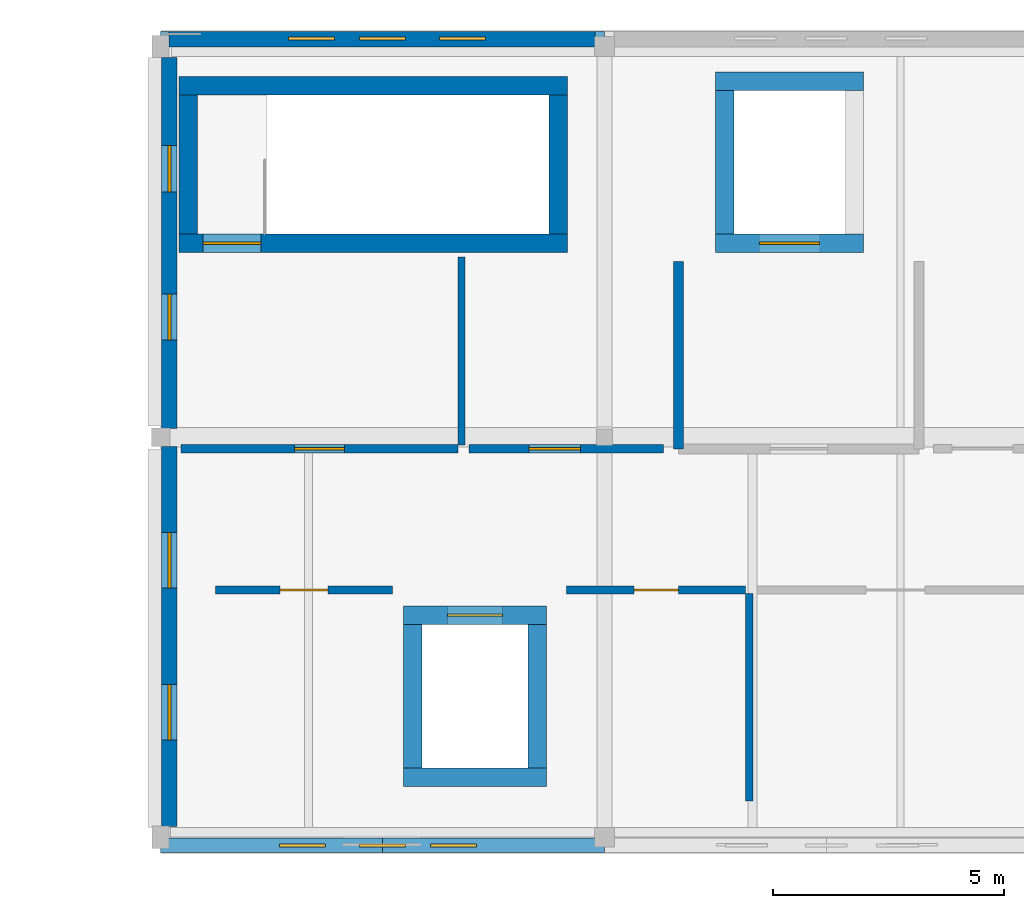
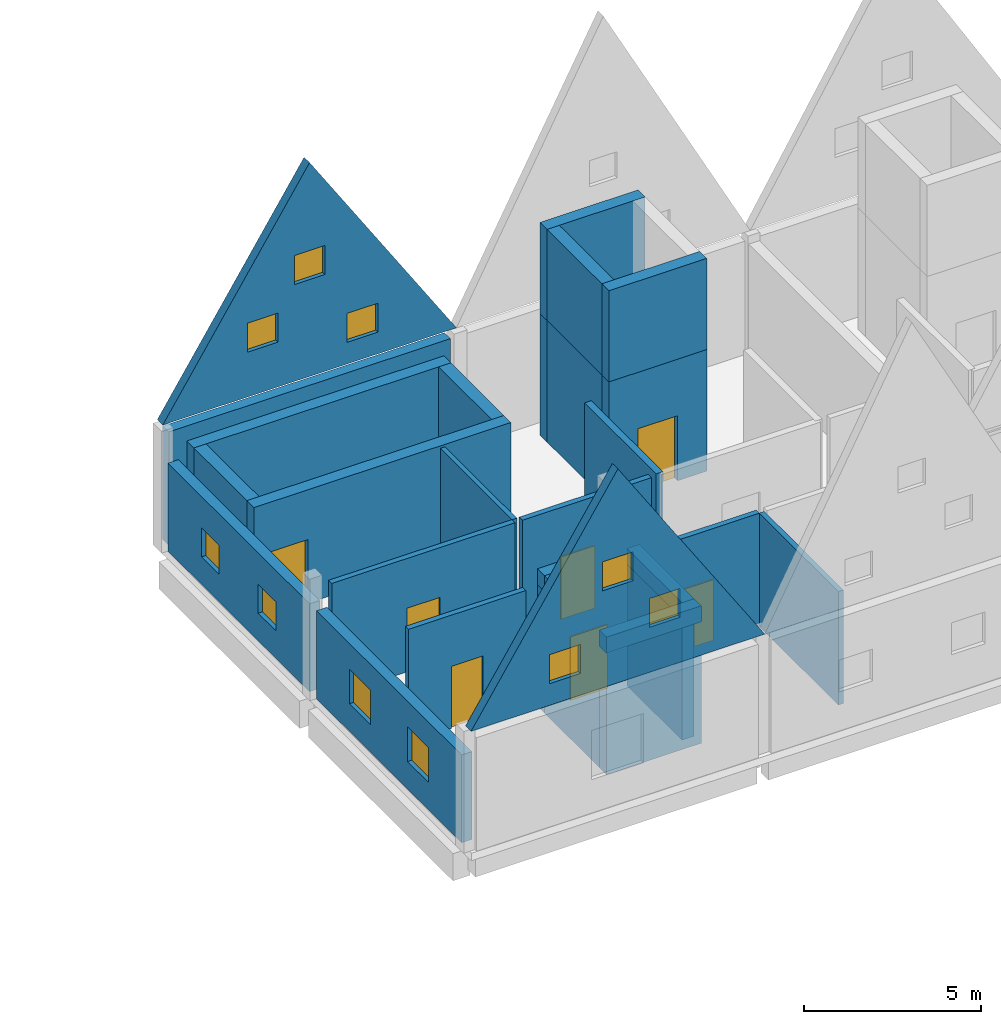
# One storey, part 8 of 13: 30 walls, 10 windows, 7 doors, 17 openings.
"""IFC4 building model written with IfcOpenShell, lengths in metres."""

from ifc_helpers import new_model, si_unit, direction, frame, frame_2d, origin, place, context, subcontext, project, spatial, polyline, rectangle, outline, extrude, material, layer, layer_set, type_object, element, fill, save


model = new_model("IFC4")

# Units and contexts
model_context = context("Model", 3, precision=1e-05, world=origin(), true_north=direction((0.0, 1.0)))
body_context = subcontext(model_context, "Body", "Model", "MODEL_VIEW")
ifc_project = project(units=[si_unit("LENGTHUNIT", "METRE"), si_unit("AREAUNIT", "SQUARE_METRE"), si_unit("VOLUMEUNIT", "CUBIC_METRE"), si_unit("PLANEANGLEUNIT", "RADIAN"), si_unit("MASSUNIT", "GRAM", prefix="KILO")], contexts=[model_context])

# Site, building, storey
site_placement = place(None, origin())
site = spatial("IfcSite", under=ifc_project, at=site_placement, CompositionType="ELEMENT")
building_placement = place(site_placement, origin())
building = spatial("IfcBuilding", under=site, at=building_placement, Name="Birchvale Park Specialist Clinic", CompositionType="ELEMENT")
storey_placement = place(building_placement, frame((0.0, 0.0, 22.199951171875)))
storey = spatial("IfcBuildingStorey", under=building, at=storey_placement, Name="L05", CompositionType="ELEMENT", Elevation=22.199951171875)

# Wall, opening, door
ifc_material_1 = material(Name="Concrete C40/50", Category="concrete")
ifc_layer_1 = layer(ifc_material_1, 0.39990234375)
ifc_layer_set_1 = layer_set([ifc_layer_1], Name="Concrete C40/50")
wall_type_1 = type_object("IfcWallType", Name="WL-CW-120", PredefinedType="SHEAR", material=ifc_layer_set_1)
wall_1_placement = place(storey_placement, frame((61.800048828125, 30.0, 0.0), z_axis=(0.0, 0.0, 1.0), x_axis=(1.0, 0.0, 0.0)))
wall_1 = element("IfcWall", 1, at=wall_1_placement, inside=storey, type_object=wall_type_1, Name="L05 stair ST4 EI 120 enclosure wall (south)", PredefinedType="SHEAR", context=body_context, shape_type="SweptSolid", body=[
    extrude(rectangle(XDim=8.39990234375, YDim=0.39990234375, at=frame_2d((4.199951171875, 0.0))), origin(), (0.0, 0.0, 1.0), 3.920166015625),
])
opening_1_placement = place(wall_1_placement, frame((0.52001953125, 0.0, 0.0)))
opening_1 = element("IfcOpeningElement", 2, at=opening_1_placement, cuts=wall_1, Name="Opening ID-FD60", PredefinedType="OPENING", context=body_context, shape_type="SweptSolid", body=[
    extrude(rectangle(XDim=1.25, YDim=2.199951171875, at=frame_2d((0.625, 1.10009765625))), frame((0.0, 0.2099609375, 0.0), z_axis=(0.0, -1.0, 0.0), x_axis=(1.0, 0.0, 0.0)), (0.0, 0.0, 1.0), 0.419921875),
])
ifc_material_2 = material(Name="Solid-core birch veneer and anodised aluminium", Category="aluminium")
door_type_1 = type_object("IfcDoorType", Name="DR-ID-FD60", OperationType="NOTDEFINED", PredefinedType="DOOR", material=ifc_material_2)
door_1_placement = place(opening_1_placement, origin())
door_1 = element("IfcDoor", 3, at=door_1_placement, inside=storey, type_object=door_type_1, Name="L05 stair ST4 fire door", OperationType="SINGLE_SWING_RIGHT", OverallHeight=2.199951171875, OverallWidth=1.25, PredefinedType="DOOR", context=body_context, shape_type="SweptSolid", body=[
    extrude(rectangle(XDim=1.25, YDim=2.199951171875, at=frame_2d((0.625, 1.10009765625))), frame((0.0, 0.02490234375, 0.0), z_axis=(0.0, -1.0, 0.0), x_axis=(1.0, 0.0, 0.0)), (0.0, 0.0, 1.0), 0.050048828125),
])
fill(opening_1, door_1)

# Walls
wall_2_placement = place(storey_placement, frame((70.199951171875, 33.39990234375, 0.0), z_axis=(0.0, 0.0, 1.0), x_axis=(-1.0, 0.0, 0.0)))
element("IfcWall", 4, at=wall_2_placement, inside=storey, type_object=wall_type_1, Name="L05 stair ST4 EI 120 enclosure wall (north)", PredefinedType="SHEAR", context=body_context, shape_type="SweptSolid", body=[
    extrude(rectangle(XDim=8.39990234375, YDim=0.39990234375, at=frame_2d((4.199951171875, 0.0))), origin(), (0.0, 0.0, 1.0), 3.920166015625),
])
for number, where, z_axis, x_axis, name in (
    (5, (62.0, 30.199951171875, 0.0), (0.0, 0.0, 1.0), (0.0, 1.0, 0.0), "L05 stair ST4 EI 120 enclosure wall (west)"),
    (6, (70.0, 33.199951171875, 0.0), (0.0, 0.0, 1.0), (0.0, -1.0, 0.0), "L05 stair ST4 EI 120 enclosure wall (east)"),
):
    element("IfcWall", number, at=place(storey_placement, frame(where, z_axis=z_axis, x_axis=x_axis)), inside=storey, type_object=wall_type_1, Name=name, PredefinedType="SHEAR", context=body_context, shape_type="SweptSolid", body=[
        extrude(rectangle(XDim=3.0, YDim=0.39990234375, at=frame_2d((1.5, 0.0))), origin(), (0.0, 0.0, 1.0), 3.920166015625),
    ])

# Wall, opening, door
wall_3_placement = place(storey_placement, frame((73.39990234375, 30.0, 0.0), z_axis=(0.0, 0.0, 1.0), x_axis=(1.0, 0.0, 0.0)))
wall_3 = element("IfcWall", 7, at=wall_3_placement, inside=storey, type_object=wall_type_1, Name="L05 lift LF1 shaft wall (south)", PredefinedType="SHEAR", context=body_context, shape_type="SweptSolid", body=[
    extrude(rectangle(XDim=3.2001953125, YDim=0.39990234375, at=frame_2d((1.60009765625, 0.0))), origin(), (0.0, 0.0, 1.0), 4.199951171875),
])
opening_2_placement = place(wall_3_placement, frame((0.949951171875, 0.0, 0.0)))
opening_2 = element("IfcOpeningElement", 8, at=opening_2_placement, cuts=wall_3, Name="Opening LD-02", PredefinedType="OPENING", context=body_context, shape_type="SweptSolid", body=[
    extrude(rectangle(XDim=1.300048828125, YDim=2.25, at=frame_2d((0.64990234375, 1.125))), frame((0.0, 0.2099609375, 0.0), z_axis=(0.0, -1.0, 0.0), x_axis=(1.0, 0.0, 0.0)), (0.0, 0.0, 1.0), 0.419921875),
])
door_type_2 = type_object("IfcDoorType", Name="DR-LD-02", OperationType="DOUBLE_DOOR_SLIDING", PredefinedType="DOOR", material=ifc_material_2)
door_2_placement = place(opening_2_placement, origin())
door_2 = element("IfcDoor", 9, at=door_2_placement, inside=storey, type_object=door_type_2, Name="L05 lift LF1 sliding landing door", OperationType="DOUBLE_DOOR_SLIDING", OverallHeight=2.25, OverallWidth=1.300048828125, PredefinedType="DOOR", context=body_context, shape_type="SweptSolid", body=[
    extrude(rectangle(XDim=1.300048828125, YDim=2.25, at=frame_2d((0.64990234375, 1.125))), frame((0.0, 0.02490234375, 0.0), z_axis=(0.0, -1.0, 0.0), x_axis=(1.0, 0.0, 0.0)), (0.0, 0.0, 1.0), 0.050048828125),
])
fill(opening_2, door_2)

# Walls
wall_4_placement = place(storey_placement, frame((76.60009765625, 33.5, 0.0), z_axis=(0.0, 0.0, 1.0), x_axis=(-1.0, 0.0, 0.0)))
element("IfcWall", 10, at=wall_4_placement, inside=storey, type_object=wall_type_1, Name="L05 lift LF1 shaft wall (north)", PredefinedType="SHEAR", context=body_context, shape_type="SweptSolid", body=[
    extrude(rectangle(XDim=3.2001953125, YDim=0.39990234375, at=frame_2d((1.60009765625, 0.0))), origin(), (0.0, 0.0, 1.0), 4.199951171875),
])
wall_5_placement = place(storey_placement, frame((73.60009765625, 30.199951171875, 0.0), z_axis=(0.0, 0.0, 1.0), x_axis=(0.0, 1.0, 0.0)))
element("IfcWall", 11, at=wall_5_placement, inside=storey, type_object=wall_type_1, Name="L05 lift LF1 shaft wall (west)", PredefinedType="SHEAR", context=body_context, shape_type="SweptSolid", body=[
    extrude(rectangle(XDim=3.10009765625, YDim=0.39990234375, at=frame_2d((1.550048828125, 0.0))), origin(), (0.0, 0.0, 1.0), 4.199951171875),
])
for number, where, z_axis, x_axis, name in (
    (12, (73.39990234375, 30.0, 4.199951171875), (0.0, 0.0, 1.0), (1.0, 0.0, 0.0), "L06 lift LF1 shaft wall (south)"),
    (13, (76.60009765625, 33.5, 4.199951171875), (0.0, 0.0, 1.0), (-1.0, 0.0, 0.0), "L06 lift LF1 shaft wall (north)"),
):
    element("IfcWall", number, at=place(storey_placement, frame(where, z_axis=z_axis, x_axis=x_axis)), inside=storey, type_object=wall_type_1, Name=name, PredefinedType="SHEAR", context=body_context, shape_type="SweptSolid", body=[
        extrude(rectangle(XDim=3.2001953125, YDim=0.39990234375, at=frame_2d((1.60009765625, 0.0))), origin(), (0.0, 0.0, 1.0), 3.150146484375),
    ])
wall_6_placement = place(storey_placement, frame((73.60009765625, 30.199951171875, 4.199951171875), z_axis=(0.0, 0.0, 1.0), x_axis=(0.0, 1.0, 0.0)))
element("IfcWall", 14, at=wall_6_placement, inside=storey, type_object=wall_type_1, Name="L06 lift LF1 shaft wall (west)", PredefinedType="SHEAR", context=body_context, shape_type="SweptSolid", body=[
    extrude(rectangle(XDim=3.10009765625, YDim=0.39990234375, at=frame_2d((1.550048828125, 0.0))), origin(), (0.0, 0.0, 1.0), 3.150146484375),
])
wall_7_placement = place(storey_placement, frame((66.64990234375, 18.449951171875, 0.0), z_axis=(0.0, 0.0, 1.0), x_axis=(1.0, 0.0, 0.0)))
element("IfcWall", 15, at=wall_7_placement, inside=storey, type_object=wall_type_1, Name="L05 lift LP1 shaft wall (south)", PredefinedType="SHEAR", context=body_context, shape_type="SweptSolid", body=[
    extrude(rectangle(XDim=3.10009765625, YDim=0.39990234375, at=frame_2d((1.550048828125, 0.0))), origin(), (0.0, 0.0, 1.0), 4.199951171875),
])

# Wall, opening, door
wall_8_placement = place(storey_placement, frame((69.75, 21.949951171875, 0.0), z_axis=(0.0, 0.0, 1.0), x_axis=(-1.0, 0.0, 0.0)))
wall_8 = element("IfcWall", 16, at=wall_8_placement, inside=storey, type_object=wall_type_1, Name="L05 lift LP1 shaft wall (north)", PredefinedType="SHEAR", context=body_context, shape_type="SweptSolid", body=[
    extrude(rectangle(XDim=3.10009765625, YDim=0.39990234375, at=frame_2d((1.550048828125, 0.0))), origin(), (0.0, 0.0, 1.0), 4.199951171875),
])
opening_3_placement = place(wall_8_placement, frame((0.949951171875, 0.0, 0.0)))
opening_3 = element("IfcOpeningElement", 17, at=opening_3_placement, cuts=wall_8, Name="Opening LD-01", PredefinedType="OPENING", context=body_context, shape_type="SweptSolid", body=[
    extrude(rectangle(XDim=1.199951171875, YDim=2.199951171875, at=frame_2d((0.60009765625, 1.10009765625))), frame((0.0, 0.2099609375, 0.0), z_axis=(0.0, -1.0, 0.0), x_axis=(1.0, 0.0, 0.0)), (0.0, 0.0, 1.0), 0.419921875),
])
door_type_3 = type_object("IfcDoorType", Name="DR-LD-01", OperationType="DOUBLE_DOOR_SLIDING", PredefinedType="DOOR", material=ifc_material_2)
door_3_placement = place(opening_3_placement, origin())
door_3 = element("IfcDoor", 18, at=door_3_placement, inside=storey, type_object=door_type_3, Name="L05 lift LP1 sliding landing door", OperationType="DOUBLE_DOOR_SLIDING", OverallHeight=2.199951171875, OverallWidth=1.199951171875, PredefinedType="DOOR", context=body_context, shape_type="SweptSolid", body=[
    extrude(rectangle(XDim=1.199951171875, YDim=2.199951171875, at=frame_2d((0.60009765625, 1.10009765625))), frame((0.0, 0.02490234375, 0.0), z_axis=(0.0, -1.0, 0.0), x_axis=(1.0, 0.0, 0.0)), (0.0, 0.0, 1.0), 0.050048828125),
])
fill(opening_3, door_3)

# Walls
for number, where, z_axis, x_axis, name in (
    (19, (66.85009765625, 18.64990234375, 0.0), (0.0, 0.0, 1.0), (0.0, 1.0, 0.0), "L05 lift LP1 shaft wall (west)"),
    (20, (69.550048828125, 21.75, 0.0), (0.0, 0.0, 1.0), (0.0, -1.0, 0.0), "L05 lift LP1 shaft wall (east)"),
):
    element("IfcWall", number, at=place(storey_placement, frame(where, z_axis=z_axis, x_axis=x_axis)), inside=storey, type_object=wall_type_1, Name=name, PredefinedType="SHEAR", context=body_context, shape_type="SweptSolid", body=[
        extrude(rectangle(XDim=3.10009765625, YDim=0.39990234375, at=frame_2d((1.550048828125, 0.0))), origin(), (0.0, 0.0, 1.0), 4.199951171875),
    ])
for number, where, z_axis, x_axis, name in (
    (21, (66.64990234375, 18.449951171875, 4.199951171875), (0.0, 0.0, 1.0), (1.0, 0.0, 0.0), "L06 lift LP1 shaft wall (south)"),
    (22, (69.75, 21.949951171875, 4.199951171875), (0.0, 0.0, 1.0), (-1.0, 0.0, 0.0), "L06 lift LP1 shaft wall (north)"),
    (23, (66.85009765625, 18.64990234375, 4.199951171875), (0.0, 0.0, 1.0), (0.0, 1.0, 0.0), "L06 lift LP1 shaft wall (west)"),
    (24, (69.550048828125, 21.75, 4.199951171875), (0.0, 0.0, 1.0), (0.0, -1.0, 0.0), "L06 lift LP1 shaft wall (east)"),
):
    element("IfcWall", number, at=place(storey_placement, frame(where, z_axis=z_axis, x_axis=x_axis)), inside=storey, type_object=wall_type_1, Name=name, PredefinedType="SHEAR", context=body_context, shape_type="SweptSolid", body=[
        extrude(rectangle(XDim=3.10009765625, YDim=0.39990234375, at=frame_2d((1.550048828125, 0.0))), origin(), (0.0, 0.0, 1.0), 0.550048828125),
    ])
ifc_material_3 = material(Name="Lime-white mineral-rendered insulated masonry", Category="masonry")
ifc_layer_2 = layer(ifc_material_3, 0.340087890625)
ifc_layer_set_2 = layer_set([ifc_layer_2], Name="Lime-white mineral-rendered insulated masonry")
wall_type_2 = type_object("IfcWallType", Name="WL-EW-01", PredefinedType="STANDARD", material=ifc_layer_set_2)
wall_9_placement = place(storey_placement, frame((70.7900390625, 34.409912109375, 0.0), z_axis=(0.0, 0.0, 1.0), x_axis=(-1.0, 0.0, 0.0)))
element("IfcWall", 25, at=wall_9_placement, inside=storey, type_object=wall_type_2, Name="V4 L05 exterior facade wall 306", PredefinedType="STANDARD", context=body_context, shape_type="SweptSolid", body=[
    extrude(rectangle(XDim=9.2099609375, YDim=0.340087890625, at=frame_2d((4.60498046875, 0.0))), origin(), (0.0, 0.0, 1.0), 3.920166015625),
])

# Wall, openings, windows
wall_10_placement = place(storey_placement, frame((61.590087890625, 34.014892578125, 0.0), z_axis=(0.0, 0.0, 1.0), x_axis=(0.0, -1.0, 0.0)))
wall_10 = element("IfcWall", 26, at=wall_10_placement, inside=storey, type_object=wall_type_2, Name="V4 L05 exterior facade wall 307", PredefinedType="STANDARD", context=body_context, shape_type="SweptSolid", body=[
    extrude(rectangle(XDim=8.019775390625, YDim=0.340087890625, at=frame_2d((4.009765625, 0.0))), origin(), (0.0, 0.0, 1.0), 3.03515625),
])
opening_4_placement = place(wall_10_placement, frame((1.906005859375, 0.0, 0.949951171875)))
opening_4 = element("IfcOpeningElement", 27, at=opening_4_placement, cuts=wall_10, Name="Opening W-SQ10", PredefinedType="OPENING", context=body_context, shape_type="SweptSolid", body=[
    extrude(rectangle(XDim=1.0, YDim=1.0, at=frame_2d((0.5, 0.5))), frame((0.0, 0.18017578125, 0.0), z_axis=(0.0, -1.0, 0.0), x_axis=(1.0, 0.0, 0.0)), (0.0, 0.0, 1.0), 0.360107421875),
])
opening_5_placement = place(wall_10_placement, frame((5.114013671875, 0.0, 0.949951171875)))
opening_5 = element("IfcOpeningElement", 28, at=opening_5_placement, cuts=wall_10, Name="Opening W-SQ10", PredefinedType="OPENING", context=body_context, shape_type="SweptSolid", body=[
    extrude(rectangle(XDim=1.0, YDim=1.0, at=frame_2d((0.5, 0.5))), frame((0.0, 0.18017578125, 0.0), z_axis=(0.0, -1.0, 0.0), x_axis=(1.0, 0.0, 0.0)), (0.0, 0.0, 1.0), 0.360107421875),
])
ifc_material_4 = material(Name="Solar-control low-E double glazing", Category="glass")
window_type_1 = type_object("IfcWindowType", Name="WIN-W-SQ10", PartitioningType="SINGLE_PANEL", PredefinedType="WINDOW", material=ifc_material_4)
window_1_placement = place(opening_4_placement, origin())
window_1 = element("IfcWindow", 29, at=window_1_placement, inside=storey, type_object=window_type_1, Name="V4 L05 cased window 166", OverallHeight=1.0, OverallWidth=1.0, PartitioningType="SINGLE_PANEL", PredefinedType="WINDOW", context=body_context, shape_type="SweptSolid", body=[
    extrude(rectangle(XDim=1.0, YDim=1.0, at=frame_2d((0.5, 0.5))), frame((0.0, 0.030029296875, 0.0), z_axis=(0.0, -1.0, 0.0), x_axis=(1.0, 0.0, 0.0)), (0.0, 0.0, 1.0), 0.06005859375),
])
fill(opening_4, window_1)
window_2_placement = place(opening_5_placement, origin())
window_2 = element("IfcWindow", 30, at=window_2_placement, inside=storey, type_object=window_type_1, Name="V4 L05 cased window 167", OverallHeight=1.0, OverallWidth=1.0, PartitioningType="SINGLE_PANEL", PredefinedType="WINDOW", context=body_context, shape_type="SweptSolid", body=[
    extrude(rectangle(XDim=1.0, YDim=1.0, at=frame_2d((0.5, 0.5))), frame((0.0, 0.030029296875, 0.0), z_axis=(0.0, -1.0, 0.0), x_axis=(1.0, 0.0, 0.0)), (0.0, 0.0, 1.0), 0.06005859375),
])
fill(opening_5, window_2)

wall_11_placement = place(storey_placement, frame((61.590087890625, 25.60498046875, 0.0), z_axis=(0.0, 0.0, 1.0), x_axis=(0.0, -1.0, 0.0)))
wall_11 = element("IfcWall", 31, at=wall_11_placement, inside=storey, type_object=wall_type_2, Name="V4 L05 exterior facade wall 308", PredefinedType="STANDARD", context=body_context, shape_type="SweptSolid", body=[
    extrude(rectangle(XDim=8.219970703125, YDim=0.340087890625, at=frame_2d((4.10986328125, 0.0))), origin(), (0.0, 0.0, 1.0), 3.03515625),
])
opening_6_placement = place(wall_11_placement, frame((1.865966796875, 0.0, 0.949951171875)))
opening_6 = element("IfcOpeningElement", 32, at=opening_6_placement, cuts=wall_11, Name="Opening W-SQ12", PredefinedType="OPENING", context=body_context, shape_type="SweptSolid", body=[
    extrude(rectangle(XDim=1.199951171875, YDim=1.199951171875, at=frame_2d((0.60009765625, 0.60009765625))), frame((0.0, 0.18017578125, 0.0), z_axis=(0.0, -1.0, 0.0), x_axis=(1.0, 0.0, 0.0)), (0.0, 0.0, 1.0), 0.360107421875),
])
opening_7_placement = place(wall_11_placement, frame((5.154052734375, 0.0, 0.949951171875)))
opening_7 = element("IfcOpeningElement", 33, at=opening_7_placement, cuts=wall_11, Name="Opening W-SQ12", PredefinedType="OPENING", context=body_context, shape_type="SweptSolid", body=[
    extrude(rectangle(XDim=1.199951171875, YDim=1.199951171875, at=frame_2d((0.60009765625, 0.60009765625))), frame((0.0, 0.18017578125, 0.0), z_axis=(0.0, -1.0, 0.0), x_axis=(1.0, 0.0, 0.0)), (0.0, 0.0, 1.0), 0.360107421875),
])
window_type_2 = type_object("IfcWindowType", Name="WIN-W-SQ12", PartitioningType="SINGLE_PANEL", PredefinedType="WINDOW", material=ifc_material_4)
window_3_placement = place(opening_6_placement, origin())
window_3 = element("IfcWindow", 34, at=window_3_placement, inside=storey, type_object=window_type_2, Name="V4 L05 cased window 168", OverallHeight=1.199951171875, OverallWidth=1.199951171875, PartitioningType="SINGLE_PANEL", PredefinedType="WINDOW", context=body_context, shape_type="SweptSolid", body=[
    extrude(rectangle(XDim=1.199951171875, YDim=1.199951171875, at=frame_2d((0.60009765625, 0.60009765625))), frame((0.0, 0.030029296875, 0.0), z_axis=(0.0, -1.0, 0.0), x_axis=(1.0, 0.0, 0.0)), (0.0, 0.0, 1.0), 0.06005859375),
])
fill(opening_6, window_3)
window_4_placement = place(opening_7_placement, origin())
window_4 = element("IfcWindow", 35, at=window_4_placement, inside=storey, type_object=window_type_2, Name="V4 L05 cased window 169", OverallHeight=1.199951171875, OverallWidth=1.199951171875, PartitioningType="SINGLE_PANEL", PredefinedType="WINDOW", context=body_context, shape_type="SweptSolid", body=[
    extrude(rectangle(XDim=1.199951171875, YDim=1.199951171875, at=frame_2d((0.60009765625, 0.60009765625))), frame((0.0, 0.030029296875, 0.0), z_axis=(0.0, -1.0, 0.0), x_axis=(1.0, 0.0, 0.0)), (0.0, 0.0, 1.0), 0.06005859375),
])
fill(opening_7, window_4)

ifc_layer_3 = layer(ifc_material_3, 0.31005859375)
ifc_layer_set_3 = layer_set([ifc_layer_3], Name="Lime-white mineral-rendered insulated masonry")
wall_type_3 = type_object("IfcWallType", Name="WL-EW-02", PredefinedType="STANDARD", material=ifc_layer_set_3)
wall_12_placement = place(storey_placement, frame((61.39990234375, 16.97509765625, 4.199951171875), z_axis=(0.0, 0.0, 1.0), x_axis=(1.0, 0.0, 0.0)))
wall_12 = element("IfcWall", 36, at=wall_12_placement, inside=storey, type_object=wall_type_3, Name="L06 white house-gable end wall Bay 2 S", PredefinedType="STANDARD", context=body_context, shape_type="SweptSolid", body=[
    extrude(outline(polyline([(0.0, 0.0), (9.60009765625, 0.0), (9.60009765625, 0.0), (4.800048828125, 7.39013671875), (0.0, 0.0), (0.0, 0.0)])), frame((0.0, 0.155029296875, 0.0), z_axis=(0.0, -1.0, 0.0), x_axis=(1.0, 0.0, 0.0)), (0.0, 0.0, 1.0), 0.31005859375),
])
opening_8_placement = place(wall_12_placement, frame((2.572021484375, 0.0, 0.75)))
opening_8 = element("IfcOpeningElement", 37, at=opening_8_placement, cuts=wall_12, Name="Opening W-SQ10", PredefinedType="OPENING", context=body_context, shape_type="SweptSolid", body=[
    extrude(rectangle(XDim=1.0, YDim=1.0, at=frame_2d((0.5, 0.5))), frame((0.0, 0.1650390625, 0.0), z_axis=(0.0, -1.0, 0.0), x_axis=(1.0, 0.0, 0.0)), (0.0, 0.0, 1.0), 0.330078125),
])
opening_9_placement = place(wall_12_placement, frame((5.8359375, 0.0, 1.550048828125)))
opening_9 = element("IfcOpeningElement", 38, at=opening_9_placement, cuts=wall_12, Name="Opening W-SQ10", PredefinedType="OPENING", context=body_context, shape_type="SweptSolid", body=[
    extrude(rectangle(XDim=1.0, YDim=1.0, at=frame_2d((0.5, 0.5))), frame((0.0, 0.1650390625, 0.0), z_axis=(0.0, -1.0, 0.0), x_axis=(1.0, 0.0, 0.0)), (0.0, 0.0, 1.0), 0.330078125),
])
opening_10_placement = place(wall_12_placement, frame((4.300048828125, 0.0, 3.35009765625)))
opening_10 = element("IfcOpeningElement", 39, at=opening_10_placement, cuts=wall_12, Name="Opening W-SQ10", PredefinedType="OPENING", context=body_context, shape_type="SweptSolid", body=[
    extrude(rectangle(XDim=1.0, YDim=1.0, at=frame_2d((0.5, 0.5))), frame((0.0, 0.1650390625, 0.0), z_axis=(0.0, -1.0, 0.0), x_axis=(1.0, 0.0, 0.0)), (0.0, 0.0, 1.0), 0.330078125),
])
window_5_placement = place(opening_8_placement, origin())
window_5 = element("IfcWindow", 40, at=window_5_placement, inside=storey, type_object=window_type_1, Name="L06 gable square window Bay 2 S.1", OverallHeight=1.0, OverallWidth=1.0, PartitioningType="SINGLE_PANEL", PredefinedType="WINDOW", context=body_context, shape_type="SweptSolid", body=[
    extrude(rectangle(XDim=1.0, YDim=1.0, at=frame_2d((0.5, 0.5))), frame((0.0, 0.030029296875, 0.0), z_axis=(0.0, -1.0, 0.0), x_axis=(1.0, 0.0, 0.0)), (0.0, 0.0, 1.0), 0.06005859375),
])
fill(opening_8, window_5)
window_6_placement = place(opening_9_placement, origin())
window_6 = element("IfcWindow", 41, at=window_6_placement, inside=storey, type_object=window_type_1, Name="L06 gable square window Bay 2 S.2", OverallHeight=1.0, OverallWidth=1.0, PartitioningType="SINGLE_PANEL", PredefinedType="WINDOW", context=body_context, shape_type="SweptSolid", body=[
    extrude(rectangle(XDim=1.0, YDim=1.0, at=frame_2d((0.5, 0.5))), frame((0.0, 0.030029296875, 0.0), z_axis=(0.0, -1.0, 0.0), x_axis=(1.0, 0.0, 0.0)), (0.0, 0.0, 1.0), 0.06005859375),
])
fill(opening_9, window_6)
window_7_placement = place(opening_10_placement, origin())
window_7 = element("IfcWindow", 42, at=window_7_placement, inside=storey, type_object=window_type_1, Name="L06 gable square window Bay 2 S.3", OverallHeight=1.0, OverallWidth=1.0, PartitioningType="SINGLE_PANEL", PredefinedType="WINDOW", context=body_context, shape_type="SweptSolid", body=[
    extrude(rectangle(XDim=1.0, YDim=1.0, at=frame_2d((0.5, 0.5))), frame((0.0, 0.030029296875, 0.0), z_axis=(0.0, -1.0, 0.0), x_axis=(1.0, 0.0, 0.0)), (0.0, 0.0, 1.0), 0.06005859375),
])
fill(opening_10, window_7)

wall_13_placement = place(storey_placement, frame((71.0, 34.425048828125, 4.199951171875), z_axis=(0.0, 0.0, 1.0), x_axis=(-1.0, 0.0, 0.0)))
wall_13 = element("IfcWall", 43, at=wall_13_placement, inside=storey, type_object=wall_type_3, Name="L06 white house-gable end wall Bay 2 N", PredefinedType="STANDARD", context=body_context, shape_type="SweptSolid", body=[
    extrude(outline(polyline([(0.0, 0.0), (9.60009765625, 0.0), (9.60009765625, 0.0), (4.800048828125, 7.39013671875), (0.0, 0.0), (0.0, 0.0)])), frame((0.0, 0.155029296875, 0.0), z_axis=(0.0, -1.0, 0.0), x_axis=(1.0, 0.0, 0.0)), (0.0, 0.0, 1.0), 0.31005859375),
])
opening_11_placement = place(wall_13_placement, frame((2.572021484375, 0.0, 0.75)))
opening_11 = element("IfcOpeningElement", 44, at=opening_11_placement, cuts=wall_13, Name="Opening W-SQ10", PredefinedType="OPENING", context=body_context, shape_type="SweptSolid", body=[
    extrude(rectangle(XDim=1.0, YDim=1.0, at=frame_2d((0.5, 0.5))), frame((0.0, 0.1650390625, 0.0), z_axis=(0.0, -1.0, 0.0), x_axis=(1.0, 0.0, 0.0)), (0.0, 0.0, 1.0), 0.330078125),
])
opening_12_placement = place(wall_13_placement, frame((5.8359375, 0.0, 1.550048828125)))
opening_12 = element("IfcOpeningElement", 45, at=opening_12_placement, cuts=wall_13, Name="Opening W-SQ10", PredefinedType="OPENING", context=body_context, shape_type="SweptSolid", body=[
    extrude(rectangle(XDim=1.0, YDim=1.0, at=frame_2d((0.5, 0.5))), frame((0.0, 0.1650390625, 0.0), z_axis=(0.0, -1.0, 0.0), x_axis=(1.0, 0.0, 0.0)), (0.0, 0.0, 1.0), 0.330078125),
])
opening_13_placement = place(wall_13_placement, frame((4.300048828125, 0.0, 3.35009765625)))
opening_13 = element("IfcOpeningElement", 46, at=opening_13_placement, cuts=wall_13, Name="Opening W-SQ10", PredefinedType="OPENING", context=body_context, shape_type="SweptSolid", body=[
    extrude(rectangle(XDim=1.0, YDim=1.0, at=frame_2d((0.5, 0.5))), frame((0.0, 0.1650390625, 0.0), z_axis=(0.0, -1.0, 0.0), x_axis=(1.0, 0.0, 0.0)), (0.0, 0.0, 1.0), 0.330078125),
])
window_8_placement = place(opening_11_placement, origin())
window_8 = element("IfcWindow", 47, at=window_8_placement, inside=storey, type_object=window_type_1, Name="L06 gable square window Bay 2 N.1", OverallHeight=1.0, OverallWidth=1.0, PartitioningType="SINGLE_PANEL", PredefinedType="WINDOW", context=body_context, shape_type="SweptSolid", body=[
    extrude(rectangle(XDim=1.0, YDim=1.0, at=frame_2d((0.5, 0.5))), frame((0.0, 0.030029296875, 0.0), z_axis=(0.0, -1.0, 0.0), x_axis=(1.0, 0.0, 0.0)), (0.0, 0.0, 1.0), 0.06005859375),
])
fill(opening_11, window_8)
window_9_placement = place(opening_12_placement, origin())
window_9 = element("IfcWindow", 48, at=window_9_placement, inside=storey, type_object=window_type_1, Name="L06 gable square window Bay 2 N.2", OverallHeight=1.0, OverallWidth=1.0, PartitioningType="SINGLE_PANEL", PredefinedType="WINDOW", context=body_context, shape_type="SweptSolid", body=[
    extrude(rectangle(XDim=1.0, YDim=1.0, at=frame_2d((0.5, 0.5))), frame((0.0, 0.030029296875, 0.0), z_axis=(0.0, -1.0, 0.0), x_axis=(1.0, 0.0, 0.0)), (0.0, 0.0, 1.0), 0.06005859375),
])
fill(opening_12, window_9)
window_10_placement = place(opening_13_placement, origin())
window_10 = element("IfcWindow", 49, at=window_10_placement, inside=storey, type_object=window_type_1, Name="L06 gable square window Bay 2 N.3", OverallHeight=1.0, OverallWidth=1.0, PartitioningType="SINGLE_PANEL", PredefinedType="WINDOW", context=body_context, shape_type="SweptSolid", body=[
    extrude(rectangle(XDim=1.0, YDim=1.0, at=frame_2d((0.5, 0.5))), frame((0.0, 0.030029296875, 0.0), z_axis=(0.0, -1.0, 0.0), x_axis=(1.0, 0.0, 0.0)), (0.0, 0.0, 1.0), 0.06005859375),
])
fill(opening_13, window_10)

# Walls
ifc_material_5 = material(Name="Acoustic gypsum board on metal framing")
ifc_layer_4 = layer(ifc_material_5, 0.1650390625)
ifc_layer_set_4 = layer_set([ifc_layer_4], Name="Acoustic gypsum board on metal framing")
wall_type_4 = type_object("IfcWallType", Name="WL-IW-01", PredefinedType="PARTITIONING", material=ifc_layer_set_4)
wall_14_placement = place(storey_placement, frame((74.13330078125, 22.419921875, 0.0), z_axis=(0.0, 0.0, 1.0), x_axis=(0.0, -1.0, 0.0)))
element("IfcWall", 50, at=wall_14_placement, inside=storey, type_object=wall_type_4, Name="V4 L05 clinical partition 581", PredefinedType="PARTITIONING", context=body_context, shape_type="SweptSolid", body=[
    extrude(rectangle(XDim=4.47998046875, YDim=0.1650390625, at=frame_2d((2.239990234375, 0.0))), origin(), (0.0, 0.0, 1.0), 3.920166015625),
])
ifc_layer_5 = layer(ifc_material_5, 0.14990234375)
ifc_layer_set_5 = layer_set([ifc_layer_5], Name="Acoustic gypsum board on metal framing")
wall_type_5 = type_object("IfcWallType", Name="WL-IW-02", PredefinedType="PARTITIONING", material=ifc_layer_set_5)
wall_15_placement = place(storey_placement, frame((67.90673828125, 29.699951171875, 0.0), z_axis=(0.0, 0.0, 1.0), x_axis=(0.0, -1.0, 0.0)))
element("IfcWall", 51, at=wall_15_placement, inside=storey, type_object=wall_type_5, Name="V4 L05 clinical partition 584", PredefinedType="PARTITIONING", context=body_context, shape_type="SweptSolid", body=[
    extrude(rectangle(XDim=4.070068359375, YDim=0.14990234375, at=frame_2d((2.03515625, 0.0))), origin(), (0.0, 0.0, 1.0), 3.920166015625),
])
ifc_layer_6 = layer(ifc_material_5, 0.219970703125)
ifc_layer_set_6 = layer_set([ifc_layer_6], Name="Acoustic gypsum board on metal framing")
wall_type_6 = type_object("IfcWallType", Name="WL-IW-120", PredefinedType="PARTITIONING", material=ifc_layer_set_6)
wall_16_placement = place(storey_placement, frame((72.60009765625, 29.60009765625, 0.0), z_axis=(0.0, 0.0, 1.0), x_axis=(0.0, -1.0, 0.0)))
element("IfcWall", 52, at=wall_16_placement, inside=storey, type_object=wall_type_6, Name="L05 firefighting lift lobby K4 EI 120 wall (west)", PredefinedType="PARTITIONING", context=body_context, shape_type="SweptSolid", body=[
    extrude(rectangle(XDim=4.050048828125, YDim=0.219970703125, at=frame_2d((2.02490234375, 0.0))), origin(), (0.0, 0.0, 1.0), 3.920166015625),
])

# Wall, opening, door
ifc_layer_7 = layer(ifc_material_5, 0.179931640625)
ifc_layer_set_7 = layer_set([ifc_layer_7], Name="Acoustic gypsum board on metal framing")
wall_type_7 = type_object("IfcWallType", Name="WL-IW-60", PredefinedType="PARTITIONING", material=ifc_layer_set_7)
wall_17_placement = place(storey_placement, frame((62.590087890625, 22.5, 0.0), z_axis=(0.0, 0.0, 1.0), x_axis=(1.0, 0.0, 0.0)))
wall_17 = element("IfcWall", 53, at=wall_17_placement, inside=storey, type_object=wall_type_7, Name="V4 L05 clinical partition 579", PredefinedType="PARTITIONING", context=body_context, shape_type="SweptSolid", body=[
    extrude(rectangle(XDim=3.829833984375, YDim=0.179931640625, at=frame_2d((1.9150390625, 0.0))), origin(), (0.0, 0.0, 1.0), 3.920166015625),
])
opening_14_placement = place(wall_17_placement, frame((1.39501953125, 0.0, 0.0)))
opening_14 = element("IfcOpeningElement", 54, at=opening_14_placement, cuts=wall_17, Name="Opening ID-02", PredefinedType="OPENING", context=body_context, shape_type="SweptSolid", body=[
    extrude(rectangle(XDim=1.0400390625, YDim=2.14990234375, at=frame_2d((0.52001953125, 1.074951171875))), frame((0.0, 0.10009765625, 0.0), z_axis=(0.0, -1.0, 0.0), x_axis=(1.0, 0.0, 0.0)), (0.0, 0.0, 1.0), 0.199951171875),
])
door_type_4 = type_object("IfcDoorType", Name="DR-ID-02", OperationType="NOTDEFINED", PredefinedType="DOOR", material=ifc_material_2)
door_4_placement = place(opening_14_placement, origin())
door_4 = element("IfcDoor", 55, at=door_4_placement, inside=storey, type_object=door_type_4, Name="L05 Oncology Day Counselling Suite door", OperationType="SINGLE_SWING_RIGHT", OverallHeight=2.14990234375, OverallWidth=1.0400390625, PredefinedType="DOOR", context=body_context, shape_type="SweptSolid", body=[
    extrude(rectangle(XDim=1.0400390625, YDim=2.14990234375, at=frame_2d((0.52001953125, 1.074951171875))), frame((0.0, 0.02490234375, 0.0), z_axis=(0.0, -1.0, 0.0), x_axis=(1.0, 0.0, 0.0)), (0.0, 0.0, 1.0), 0.050048828125),
])
fill(opening_14, door_4)

wall_18_placement = place(storey_placement, frame((70.179931640625, 22.5, 0.0), z_axis=(0.0, 0.0, 1.0), x_axis=(1.0, 0.0, 0.0)))
wall_18 = element("IfcWall", 56, at=wall_18_placement, inside=storey, type_object=wall_type_7, Name="V4 L05 clinical partition 580", PredefinedType="PARTITIONING", context=body_context, shape_type="SweptSolid", body=[
    extrude(rectangle(XDim=3.873291015625, YDim=0.179931640625, at=frame_2d((1.9365234375, 0.0))), origin(), (0.0, 0.0, 1.0), 3.920166015625),
])
opening_15_placement = place(wall_18_placement, frame((1.45654296875, 0.0, 0.0)))
opening_15 = element("IfcOpeningElement", 57, at=opening_15_placement, cuts=wall_18, Name="Opening ID-04", PredefinedType="OPENING", context=body_context, shape_type="SweptSolid", body=[
    extrude(rectangle(XDim=0.9599609375, YDim=2.10009765625, at=frame_2d((0.47998046875, 1.050048828125))), frame((0.0, 0.10009765625, 0.0), z_axis=(0.0, -1.0, 0.0), x_axis=(1.0, 0.0, 0.0)), (0.0, 0.0, 1.0), 0.199951171875),
])
door_type_5 = type_object("IfcDoorType", Name="DR-ID-04", OperationType="NOTDEFINED", PredefinedType="DOOR", material=ifc_material_2)
door_5_placement = place(opening_15_placement, origin())
door_5 = element("IfcDoor", 58, at=door_5_placement, inside=storey, type_object=door_type_5, Name="L05 Palliative Care Consultation Clinic door", OperationType="SINGLE_SWING_LEFT", OverallHeight=2.10009765625, OverallWidth=0.9599609375, PredefinedType="DOOR", context=body_context, shape_type="SweptSolid", body=[
    extrude(rectangle(XDim=0.9599609375, YDim=2.10009765625, at=frame_2d((0.47998046875, 1.050048828125))), frame((0.0, 0.02490234375, 0.0), z_axis=(0.0, -1.0, 0.0), x_axis=(1.0, 0.0, 0.0)), (0.0, 0.0, 1.0), 0.050048828125),
])
fill(opening_15, door_5)

wall_19_placement = place(storey_placement, frame((67.82666015625, 25.550048828125, 0.0), z_axis=(0.0, 0.0, 1.0), x_axis=(-1.0, 0.0, 0.0)))
wall_19 = element("IfcWall", 59, at=wall_19_placement, inside=storey, type_object=wall_type_7, Name="V4 L05 clinical partition 585", PredefinedType="PARTITIONING", context=body_context, shape_type="SweptSolid", body=[
    extrude(rectangle(XDim=5.986572265625, YDim=0.179931640625, at=frame_2d((2.9931640625, 0.0))), origin(), (0.0, 0.0, 1.0), 3.920166015625),
])
opening_16_placement = place(wall_19_placement, frame((2.453369140625, 0.0, 0.0)))
opening_16 = element("IfcOpeningElement", 60, at=opening_16_placement, cuts=wall_19, Name="Opening ID-03", PredefinedType="OPENING", context=body_context, shape_type="SweptSolid", body=[
    extrude(rectangle(XDim=1.080078125, YDim=2.199951171875, at=frame_2d((0.5400390625, 1.10009765625))), frame((0.0, 0.10009765625, 0.0), z_axis=(0.0, -1.0, 0.0), x_axis=(1.0, 0.0, 0.0)), (0.0, 0.0, 1.0), 0.199951171875),
])
door_type_6 = type_object("IfcDoorType", Name="DR-ID-03", OperationType="NOTDEFINED", PredefinedType="DOOR", material=ifc_material_2)
door_6_placement = place(opening_16_placement, origin())
door_6 = element("IfcDoor", 61, at=door_6_placement, inside=storey, type_object=door_type_6, Name="L05 Accessible Patient WC door", OperationType="SINGLE_SWING_RIGHT", OverallHeight=2.199951171875, OverallWidth=1.080078125, PredefinedType="DOOR", context=body_context, shape_type="SweptSolid", body=[
    extrude(rectangle(XDim=1.080078125, YDim=2.199951171875, at=frame_2d((0.5400390625, 1.10009765625))), frame((0.0, 0.02490234375, 0.0), z_axis=(0.0, -1.0, 0.0), x_axis=(1.0, 0.0, 0.0)), (0.0, 0.0, 1.0), 0.050048828125),
])
fill(opening_16, door_6)

wall_20_placement = place(storey_placement, frame((72.280029296875, 25.550048828125, 0.0), z_axis=(0.0, 0.0, 1.0), x_axis=(-1.0, 0.0, 0.0)))
wall_20 = element("IfcWall", 62, at=wall_20_placement, inside=storey, type_object=wall_type_7, Name="V4 L05 clinical partition 586", PredefinedType="PARTITIONING", context=body_context, shape_type="SweptSolid", body=[
    extrude(rectangle(XDim=4.21337890625, YDim=0.179931640625, at=frame_2d((2.106689453125, 0.0))), origin(), (0.0, 0.0, 1.0), 3.920166015625),
])
opening_17_placement = place(wall_20_placement, frame((1.796630859375, 0.0, 0.0)))
opening_17 = element("IfcOpeningElement", 63, at=opening_17_placement, cuts=wall_20, Name="Opening ID-11", PredefinedType="OPENING", context=body_context, shape_type="SweptSolid", body=[
    extrude(rectangle(XDim=1.1201171875, YDim=2.159912109375, at=frame_2d((0.56005859375, 1.080078125))), frame((0.0, 0.10009765625, 0.0), z_axis=(0.0, -1.0, 0.0), x_axis=(1.0, 0.0, 0.0)), (0.0, 0.0, 1.0), 0.199951171875),
])
door_type_7 = type_object("IfcDoorType", Name="DR-ID-11", OperationType="NOTDEFINED", PredefinedType="DOOR", material=ifc_material_2)
door_7_placement = place(opening_17_placement, origin())
door_7 = element("IfcDoor", 64, at=door_7_placement, inside=storey, type_object=door_type_7, Name="L05 Oncology Day Counselling Suite door", OperationType="SINGLE_SWING_LEFT", OverallHeight=2.159912109375, OverallWidth=1.1201171875, PredefinedType="DOOR", context=body_context, shape_type="SweptSolid", body=[
    extrude(rectangle(XDim=1.1201171875, YDim=2.159912109375, at=frame_2d((0.56005859375, 1.080078125))), frame((0.0, 0.02490234375, 0.0), z_axis=(0.0, -1.0, 0.0), x_axis=(1.0, 0.0, 0.0)), (0.0, 0.0, 1.0), 0.050048828125),
])
fill(opening_17, door_7)

save(model, "model.ifc")
